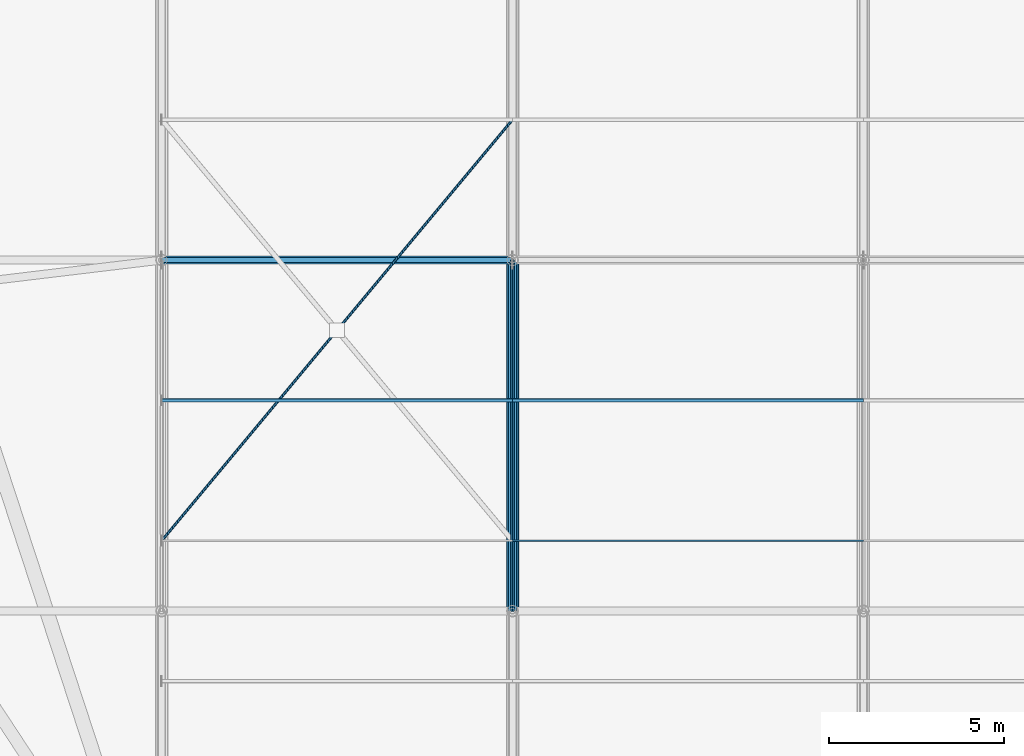
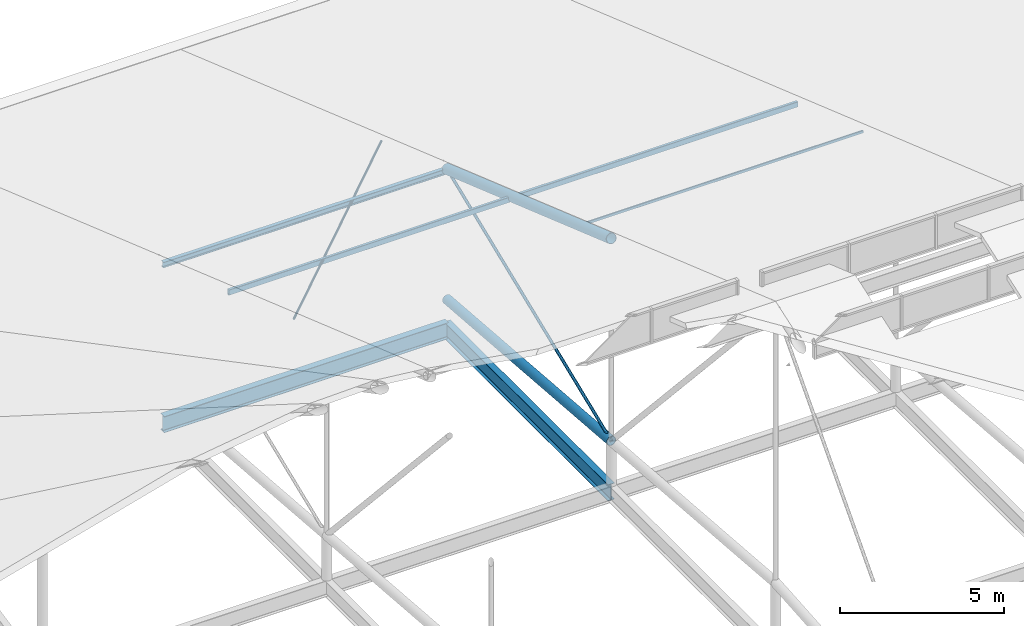
# One storey, part 34 of 93: 8 members, 2 beams.
"""IFC4 building model written with IfcOpenShell, lengths in metres."""

from ifc_helpers import new_model, si_unit, derived_unit, direction, frame, origin, origin_2d_with_axis, place, context, subcontext, project, spatial, hollow_rectangle, hollow_circle, i_section, extrude, material, material_profile, profile_set, type_object, element, save


model = new_model("IFC4")

# Units and contexts
model_context = context("Model", 3, precision=1e-05, world=origin(), true_north=direction((0.0, 1.0)))
body_context = subcontext(model_context, "Body", "Model", "MODEL_VIEW")
ifc_project = project(units=[si_unit("LENGTHUNIT", "METRE"), si_unit("AREAUNIT", "SQUARE_METRE"), si_unit("VOLUMEUNIT", "CUBIC_METRE"), si_unit("PLANEANGLEUNIT", "RADIAN"), si_unit("MASSUNIT", "GRAM", prefix="KILO"), derived_unit("THERMALTRANSMITTANCEUNIT", [(si_unit("POWERUNIT", "WATT"), 1), (si_unit("LENGTHUNIT", "METRE"), -2), (si_unit("THERMODYNAMICTEMPERATUREUNIT", "KELVIN"), -1)])], contexts=[model_context])

# Site, building, storey
site_placement = place(None, origin())
site = spatial("IfcSite", under=ifc_project, at=site_placement, CompositionType="ELEMENT")
building_placement = place(site_placement, origin())
building = spatial("IfcBuilding", under=site, at=building_placement, Name="Cinnabar Yard Market Hall", CompositionType="ELEMENT")
storey_placement = place(building_placement, frame((0.0, 0.0, 23.800048828125)))
storey = spatial("IfcBuildingStorey", under=building, at=storey_placement, Name="ROOF", CompositionType="ELEMENT", Elevation=23.800048828125)

# Beams
ifc_material_1 = material(Name="Steel Grade 300 (300 MPa)", Category="steel")
ifc_material_profile_1 = material_profile(ifc_material_1, i_section(OverallWidth=0.22802734375, OverallDepth=0.60205078125, WebThickness=0.010498046875, FlangeThickness=0.014892578125, FilletRadius=0.013916015625, at=origin_2d_with_axis()), Name="610UB101")
ifc_profile_set_1 = profile_set([ifc_material_profile_1], Name="Steel Grade 300 (300 MPa)")
beam_type = type_object("IfcBeamType", Name="BM-B02", PredefinedType="BEAM", material=ifc_profile_set_1)
for number, where, z_axis, x_axis, name in (
    (1, (86.0, 64.0, -9.700927734375), (1.0, 0.0, 0.0), (0.0, 1.0, 0.0), "Hall Longitudinal Tie Girder 00405"),
    (2, (96.0, 54.0, -9.700927734375), (0.0, 1.0, 0.0), (-1.0, 0.0, 0.0), "Hall Transverse Tie Girder 00423"),
):
    element("IfcBeam", number, at=place(storey_placement, frame(where, z_axis=z_axis, x_axis=x_axis)), inside=storey, type_object=beam_type, Name=name, PredefinedType="BEAM", context=body_context, shape_type="SweptSolid", body=[
        extrude(i_section(OverallWidth=0.22802734375, OverallDepth=0.60205078125, WebThickness=0.010498046875, FlangeThickness=0.014892578125, FilletRadius=0.013916015625, at=origin_2d_with_axis()), origin(), (0.0, 0.0, 1.0), 10.0),
    ])

# Members
ifc_material_2 = material(Name="Cold-formed steel C350L0", Category="steel")
ifc_material_profile_2 = material_profile(ifc_material_2, hollow_circle(Radius=0.161865234375, WallThickness=0.009521484375, at=origin_2d_with_axis()), Name="323.9x9.5CHS")
ifc_profile_set_2 = profile_set([ifc_material_profile_2], Name="Cold-formed steel C350L0")
member_type_1 = type_object("IfcMemberType", Name="MB-BC01", PredefinedType="CHORD", material=ifc_profile_set_2)
member_1_placement = place(storey_placement, frame((96.0, 54.0, -7.800048828125), z_axis=(0.0, 0.99681489162, -0.07975005859), x_axis=(-1.0, 0.0, 0.0)))
element("IfcMember", 3, at=member_1_placement, inside=storey, type_object=member_type_1, Name="Hall Truss 96 Bottom Chord 5", PredefinedType="CHORD", context=body_context, shape_type="SweptSolid", body=[
    extrude(hollow_circle(Radius=0.161865234375, WallThickness=0.009521484375, at=origin_2d_with_axis()), origin(), (0.0, 0.0, 1.0), 10.031982421875),
])
ifc_material_profile_3 = material_profile(ifc_material_2, hollow_circle(Radius=0.05078125, WallThickness=0.0048828125, at=origin_2d_with_axis()), Name="101.6x5.0CHS")
ifc_profile_set_3 = profile_set([ifc_material_profile_3], Name="Cold-formed steel C350L0")
member_type_2 = type_object("IfcMemberType", Name="MB-DG05", PredefinedType="BRACE", material=ifc_profile_set_3)
member_2_placement = place(storey_placement, frame((96.0, 54.0, -7.800048828125), z_axis=(0.0, 0.927230348791, 0.374491495607), x_axis=(-1.0, 0.0, 0.0)))
element("IfcMember", 4, at=member_2_placement, inside=storey, type_object=member_type_2, Name="Hall Truss 96 Diagonal 5", PredefinedType="BRACE", context=body_context, shape_type="SweptSolid", body=[
    extrude(hollow_circle(Radius=0.05078125, WallThickness=0.0048828125, at=origin_2d_with_axis()), origin(), (0.0, 0.0, 1.0), 10.784912109375),
])
ifc_material_profile_4 = material_profile(ifc_material_2, hollow_rectangle(XDim=0.10009765625, YDim=0.199951171875, WallThickness=0.006103515625, InnerFilletRadius=0.006103515625, OuterFilletRadius=0.011962890625, at=origin_2d_with_axis()), Name="200x100x6.0RHS")
ifc_profile_set_4 = profile_set([ifc_material_profile_4], Name="Cold-formed steel C350L0")
member_type_3 = type_object("IfcMemberType", Name="MB-PU01", PredefinedType="PURLIN", material=ifc_profile_set_4)
for number, where, z_axis, x_axis, name in (
    (5, (86.0, 60.0, -2.4091796875), (1.0, 0.0, 0.0), (0.0, 1.0, 0.0), "Hall Roof Purlin Y60 X86"),
    (6, (96.0, 60.0, -2.4091796875), (1.0, 0.0, 0.0), (0.0, 1.0, 0.0), "Hall Roof Purlin Y60 X96"),
):
    element("IfcMember", number, at=place(storey_placement, frame(where, z_axis=z_axis, x_axis=x_axis)), inside=storey, type_object=member_type_3, Name=name, PredefinedType="PURLIN", context=body_context, shape_type="SweptSolid", body=[
        extrude(hollow_rectangle(XDim=0.10009765625, YDim=0.199951171875, WallThickness=0.006103515625, InnerFilletRadius=0.006103515625, OuterFilletRadius=0.011962890625, at=origin_2d_with_axis()), origin(), (0.0, 0.0, 1.0), 10.0),
    ])
ifc_material_profile_5 = material_profile(ifc_material_1, i_section(OverallWidth=0.134033203125, OverallDepth=0.20703125, WebThickness=0.00634765625, FlangeThickness=0.009521484375, FilletRadius=0.0087890625, at=origin_2d_with_axis()), Name="200UB29.8")
ifc_profile_set_5 = profile_set([ifc_material_profile_5], Name="Steel Grade 300 (300 MPa)")
member_type_4 = type_object("IfcMemberType", Name="MB-PU02", PredefinedType="PURLIN", material=ifc_profile_set_5)
member_3_placement = place(storey_placement, frame((86.0, 64.0, -3.80126953125), z_axis=(1.0, 0.0, 0.0), x_axis=(0.0, 1.0, 0.0)))
element("IfcMember", 7, at=member_3_placement, inside=storey, type_object=member_type_4, Name="Hall Roof Purlin Y64 X86", PredefinedType="PURLIN", context=body_context, shape_type="SweptSolid", body=[
    extrude(i_section(OverallWidth=0.134033203125, OverallDepth=0.20703125, WebThickness=0.00634765625, FlangeThickness=0.009521484375, FilletRadius=0.0087890625, at=origin_2d_with_axis()), origin(), (0.0, 0.0, 1.0), 10.0),
])
ifc_material_profile_6 = material_profile(ifc_material_2, hollow_rectangle(XDim=0.050048828125, YDim=0.10009765625, WallThickness=0.00390625, InnerFilletRadius=0.00390625, OuterFilletRadius=0.008056640625, at=origin_2d_with_axis()), Name="100x50x4.0RHS")
ifc_profile_set_6 = profile_set([ifc_material_profile_6], Name="Cold-formed steel C350L0")
member_type_5 = type_object("IfcMemberType", Name="MB-PU10", PredefinedType="PURLIN", material=ifc_profile_set_6)
member_4_placement = place(storey_placement, frame((96.0, 56.0, -1.016845703125), z_axis=(1.0, 0.0, 0.0), x_axis=(0.0, 1.0, 0.0)))
element("IfcMember", 8, at=member_4_placement, inside=storey, type_object=member_type_5, Name="Hall Roof Purlin Y56 X96", PredefinedType="PURLIN", context=body_context, shape_type="SweptSolid", body=[
    extrude(hollow_rectangle(XDim=0.050048828125, YDim=0.10009765625, WallThickness=0.00390625, InnerFilletRadius=0.00390625, OuterFilletRadius=0.008056640625, at=origin_2d_with_axis()), origin(), (0.0, 0.0, 1.0), 10.0),
])
ifc_material_profile_7 = material_profile(ifc_material_2, hollow_circle(Radius=0.0380859375, WallThickness=0.00439453125, at=origin_2d_with_axis()), Name="76.1x4.5CHS")
ifc_profile_set_7 = profile_set([ifc_material_profile_7], Name="Cold-formed steel C350L0")
member_type_6 = type_object("IfcMemberType", Name="MB-RB03", PredefinedType="BRACE", material=ifc_profile_set_7)
member_5_placement = place(storey_placement, frame((86.0, 56.0, -0.976806640625), z_axis=(0.618457094351, 0.742148513222, -0.258314550053), x_axis=(-0.768221279597, 0.640184399664, 0.0)))
element("IfcMember", 9, at=member_5_placement, inside=storey, type_object=member_type_6, Name="Roof Plan Continuous X-Brace 86-56A", PredefinedType="BRACE", context=body_context, shape_type="SweptSolid", body=[
    extrude(hollow_circle(Radius=0.0380859375, WallThickness=0.00439453125, at=origin_2d_with_axis()), origin(), (0.0, 0.0, 1.0), 16.169189453125),
])
ifc_material_profile_8 = material_profile(ifc_material_2, hollow_circle(Radius=0.177734375, WallThickness=0.0126953125, at=origin_2d_with_axis()), Name="355.6x12.7CHS")
ifc_profile_set_8 = profile_set([ifc_material_profile_8], Name="Cold-formed steel C350L0")
member_type_7 = type_object("IfcMemberType", Name="MB-TC01", PredefinedType="CHORD", material=ifc_profile_set_8)
member_6_placement = place(storey_placement, frame((96.0, 54.0, -0.28076171875), z_axis=(0.0, 0.944432077625, -0.328706633267), x_axis=(-1.0, 0.0, 0.0)))
element("IfcMember", 10, at=member_6_placement, inside=storey, type_object=member_type_7, Name="Hall Truss 96 Top Chord 5", PredefinedType="CHORD", context=body_context, shape_type="SweptSolid", body=[
    extrude(hollow_circle(Radius=0.177734375, WallThickness=0.0126953125, at=origin_2d_with_axis()), origin(), (0.0, 0.0, 1.0), 10.58837890625),
])

save(model, "model.ifc")
